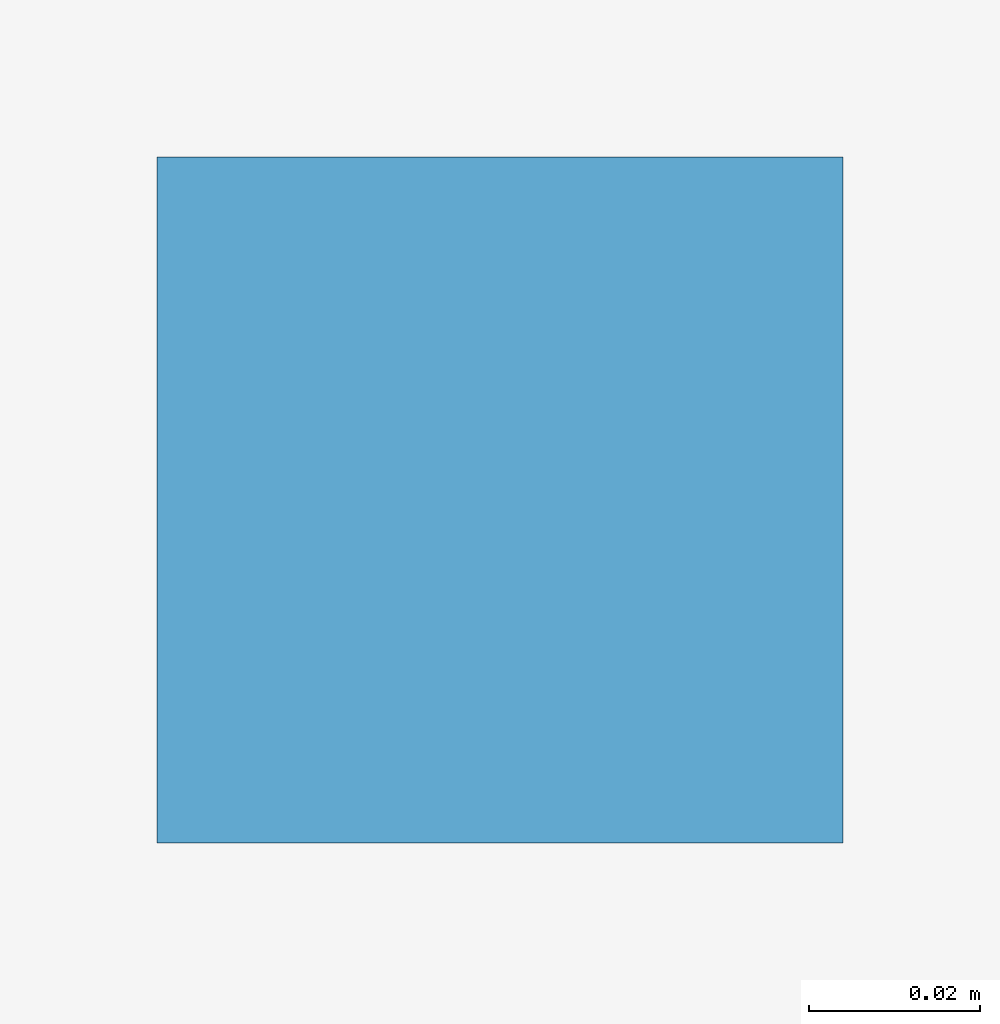
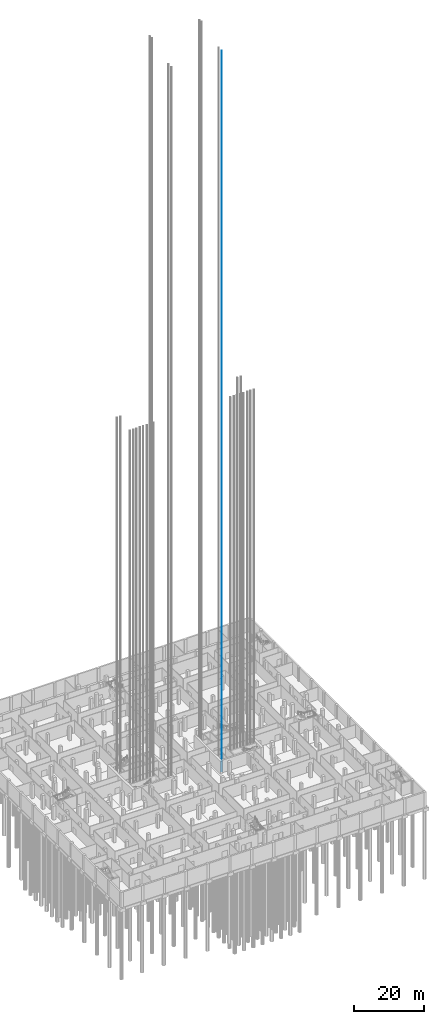
# One storey, part 36 of 54: 1 discrete accessory.
"""IFC4 building model written with IfcOpenShell, lengths in metres."""

import ifcopenshell
import ifcopenshell.guid

model = None  # the IFC model being written
_history = None  # IfcOwnerHistory: only IFC2X3 demands one
_inside = {}  # id of a spatial element -> (the spatial element, [elements in it])
_under = {}  # id of a project, library or spatial element -> (it, [spatial elements below it])
_declared = {}  # id of a project -> (the project, [libraries it declares])
_typed = {}  # id of a type object -> (the type object, [elements of that type])
_made_of = {}  # id of a material, layer set ... -> (it, [elements and type objects made of it])


def new_model(schema):
    """Start an empty IFC model of exactly this schema.

    Asked for "IFC4X3", IfcOpenShell would pick the latest addendum, in which some entities
    have other attributes; the version numbers below select the first issue.
    IFC2X3 requires an IfcOwnerHistory on every rooted entity: one is made here for all.
    """
    global model, _history
    if schema == "IFC4X3":
        model = ifcopenshell.file(schema_version=(4, 3, 0, 0))
    else:
        model = ifcopenshell.file(schema=schema)
    _inside.clear()
    _under.clear()
    _declared.clear()
    _typed.clear()
    _made_of.clear()
    _history = None
    if model.schema == "IFC2X3":
        org = make("IfcOrganization", Name="unknown")
        user = make(
            "IfcPersonAndOrganization",
            ThePerson=make("IfcPerson", FamilyName="unknown"),
            TheOrganization=org,
        )
        app = make(
            "IfcApplication",
            ApplicationDeveloper=org,
            Version="unknown",
            ApplicationFullName="unknown",
            ApplicationIdentifier="unknown",
        )
        _history = make(
            "IfcOwnerHistory",
            OwningUser=user,
            OwningApplication=app,
            ChangeAction="ADDED",
            CreationDate=0,
        )
    return model


def make(cls, **values):
    """One entity of the class cls with the attributes given. An attribute that is None is left unset."""
    return model.create_entity(
        cls, **{name: value for name, value in values.items() if value is not None}
    )


def rooted(cls, **values):
    """An entity with a GlobalId (a new one), such as an element, a storey or a relation."""
    return make(cls, GlobalId=ifcopenshell.guid.new(), OwnerHistory=_history, **values)


def si_unit(unit_type, name, prefix=None):
    """IfcSIUnit, for example si_unit("LENGTHUNIT", "METRE", prefix="MILLI")."""
    return make("IfcSIUnit", UnitType=unit_type, Prefix=prefix, Name=name)


def assignment(units):
    """IfcUnitAssignment: the units of a project."""
    return None if units is None else make("IfcUnitAssignment", Units=units)


def point(xyz):
    """IfcCartesianPoint."""
    return None if xyz is None else make("IfcCartesianPoint", Coordinates=xyz)


def direction(xyz):
    """IfcDirection."""
    return None if xyz is None else make("IfcDirection", DirectionRatios=xyz)


def frame(location, z_axis=None, x_axis=None):
    """IfcAxis2Placement3D, a coordinate frame: its origin and axes. An axis left out is left unset."""
    return make(
        "IfcAxis2Placement3D",
        Location=point(location),
        Axis=direction(z_axis),
        RefDirection=direction(x_axis),
    )


def frame_2d(location, x_axis=None):
    """IfcAxis2Placement2D, a coordinate frame in the plane: its origin and x axis."""
    return make(
        "IfcAxis2Placement2D", Location=point(location), RefDirection=direction(x_axis)
    )


def origin():
    """The frame at (0, 0, 0) with its axes left unset."""
    return frame((0.0, 0.0, 0.0))


def origin_2d():
    """The frame at (0, 0) in the plane with its x axis left unset."""
    return frame_2d((0.0, 0.0))


def place(relative_to, where):
    """IfcLocalPlacement: puts the frame where relative to a parent placement (None: the world)."""
    return make(
        "IfcLocalPlacement", PlacementRelTo=relative_to, RelativePlacement=where
    )


def context(
    kind, dimensions, precision=None, world=None, true_north=None, identifier=None
):
    """IfcGeometricRepresentationContext, for example the 3D "Model" context."""
    return make(
        "IfcGeometricRepresentationContext",
        ContextIdentifier=identifier,
        ContextType=kind,
        CoordinateSpaceDimension=dimensions,
        Precision=precision,
        WorldCoordinateSystem=world,
        TrueNorth=true_north,
    )


def subcontext(parent, identifier, kind, view, scale=None):
    """IfcGeometricRepresentationSubContext, for example "Body" below "Model"."""
    return make(
        "IfcGeometricRepresentationSubContext",
        ContextIdentifier=identifier,
        ContextType=kind,
        ParentContext=parent,
        TargetScale=scale,
        TargetView=view,
    )


def project(units=None, contexts=None):
    """IfcProject with its units and contexts."""
    return rooted(
        "IfcProject",
        Name="project",
        RepresentationContexts=contexts,
        UnitsInContext=assignment(units),
    )


def spatial(cls, under=None, at=None, **own):
    """A site, building, storey or space (cls), placed at a placement, below another one or the project."""
    s = rooted(cls, ObjectPlacement=at, **own)
    if under is not None:
        _under.setdefault(under.id(), (under, []))[1].append(s)
    return s


def profile(cls, at=None, kind="AREA", **sizes):
    """A parametric profile (cls). Its sizes go by their IFC names, for example OverallWidth=200.0."""
    return make(cls, ProfileType=kind, Position=at, **sizes)


def rectangle(**sizes):
    """IfcRectangleProfileDef."""
    return profile("IfcRectangleProfileDef", **sizes)


def extrude(swept, where, along, depth):
    """IfcExtrudedAreaSolid: the profile swept, set in the frame where, extruded along a direction by depth."""
    return make(
        "IfcExtrudedAreaSolid",
        SweptArea=swept,
        Position=where,
        ExtrudedDirection=direction(along),
        Depth=depth,
    )


def shape(context_of_items, identifier, shape_type, items):
    """IfcShapeRepresentation: the items that make up one representation, for example the "Body"."""
    return make(
        "IfcShapeRepresentation",
        ContextOfItems=context_of_items,
        RepresentationIdentifier=identifier,
        RepresentationType=shape_type,
        Items=items,
    )


def material(Name=None, Category=None):
    """IfcMaterial."""
    return make("IfcMaterial", Name=Name, Category=Category)


def made_of(thing, what):
    """Note that an element or type object is made of a material, layer set ...; save() writes the relation."""
    if what is not None:
        _made_of.setdefault(what.id(), (what, []))[1].append(thing)
    return thing


def element(
    cls,
    number,
    at=None,
    inside=None,
    cuts=None,
    type_object=None,
    material=None,
    context=None,
    identifier="Body",
    shape_type=None,
    held_by="IfcProductDefinitionShape",
    body=None,
    shapes=None,
    **own,
):
    """One element of the class cls, such as IfcWall. Its Tag is "e" and its number.

    at: its placement. inside: the storey or other place that contains it. cuts: it is an
    opening in that element (IfcRelVoidsElement). A single representation is given by context,
    identifier, shape_type and body (its items); several are given by shapes. held_by: the class
    of the entity that holds the representations. save() writes the other relations.
    """
    e = rooted(cls, Tag="e%d" % number, ObjectPlacement=at, **own)
    if body is not None:
        shapes = [shape(context, identifier, shape_type, body)]
    if shapes is not None:
        e.Representation = make(held_by, Representations=shapes)
    if inside is not None:
        _inside.setdefault(inside.id(), (inside, []))[1].append(e)
    if cuts is not None:
        rooted(
            "IfcRelVoidsElement", RelatingBuildingElement=cuts, RelatedOpeningElement=e
        )
    if type_object is not None:
        _typed.setdefault(type_object.id(), (type_object, []))[1].append(e)
    return made_of(e, material)


def aggregate(whole, parts):
    """IfcRelAggregates: a whole, such as a stair, and the parts it consists of."""
    return rooted("IfcRelAggregates", RelatingObject=whole, RelatedObjects=parts)


def save(model, path):
    """Write the relations noted so far, then the file.

    IfcRelAggregates (storeys below a building ...), IfcRelContainedInSpatialStructure (elements
    in a storey), IfcRelDefinesByType, IfcRelAssociatesMaterial and IfcRelDeclares: one each for
    every whole, place, type object, material and project.
    """
    for whole, parts in _under.values():
        aggregate(whole, parts)
    for where, things in _inside.values():
        rooted(
            "IfcRelContainedInSpatialStructure",
            RelatedElements=things,
            RelatingStructure=where,
        )
    for kind, things in _typed.values():
        rooted("IfcRelDefinesByType", RelatedObjects=things, RelatingType=kind)
    for what, things in _made_of.values():
        rooted("IfcRelAssociatesMaterial", RelatedObjects=things, RelatingMaterial=what)
    for by, libraries in _declared.values():
        rooted("IfcRelDeclares", RelatingContext=by, RelatedDefinitions=libraries)
    model.write(path)


model = new_model("IFC4")

# Units and contexts
model_context = context("Model", 3, precision=1e-05, world=origin(), true_north=direction((0.0, 1.0)))
body_context = subcontext(model_context, "Body", "Model", "MODEL_VIEW")
ifc_project = project(units=[si_unit("LENGTHUNIT", "METRE"), si_unit("AREAUNIT", "SQUARE_METRE"), si_unit("VOLUMEUNIT", "CUBIC_METRE"), si_unit("PLANEANGLEUNIT", "RADIAN"), si_unit("MASSUNIT", "GRAM", prefix="KILO")], contexts=[model_context])

# Site, building, storey
site_placement = place(None, origin())
site = spatial("IfcSite", under=ifc_project, at=site_placement, CompositionType="ELEMENT")
building_placement = place(site_placement, origin())
building = spatial("IfcBuilding", under=site, at=building_placement, Name="Fustian Cross Tower", CompositionType="ELEMENT")
storey_placement = place(building_placement, frame((0.0, 0.0, -4.800048828125)))
storey = spatial("IfcBuildingStorey", under=building, at=storey_placement, Name="B1", CompositionType="ELEMENT", Elevation=-4.800048828125)

# Discrete accessory
ifc_material = material(Name="Steel S355", Category="steel")
discrete_accessory_placement = place(storey_placement, frame((8.2900390625, -6.39990234375, 0.0), z_axis=(0.0, 0.0, 1.0), x_axis=(1.0, 0.0, 0.0)))
element("IfcDiscreteAccessory", 1, at=discrete_accessory_placement, inside=storey, material=ifc_material, Name="Lift guide rail SV1 1", PredefinedType="NOTDEFINED", context=body_context, shape_type="SweptSolid", body=[
    extrude(rectangle(XDim=0.080078125, YDim=0.080078125, at=origin_2d()), origin(), (0.0, 0.0, 1.0), 251.300048828125),
])

save(model, "model.ifc")
